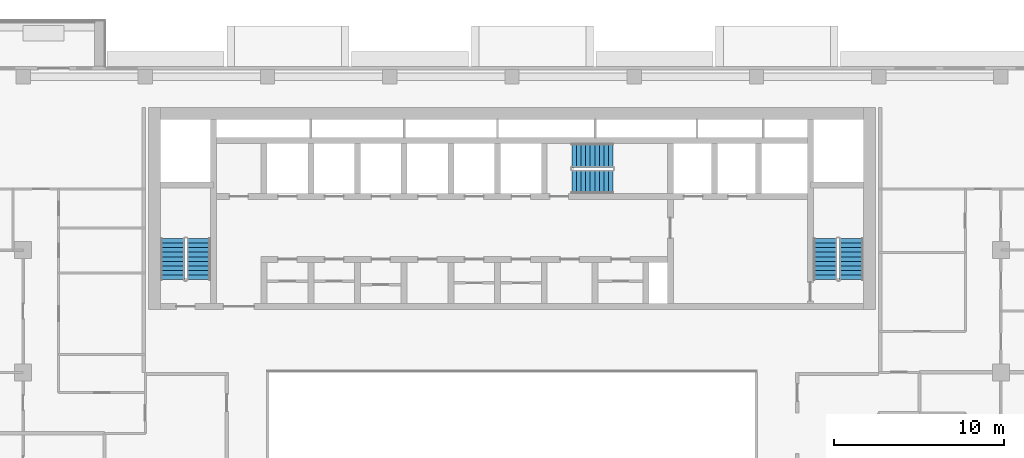
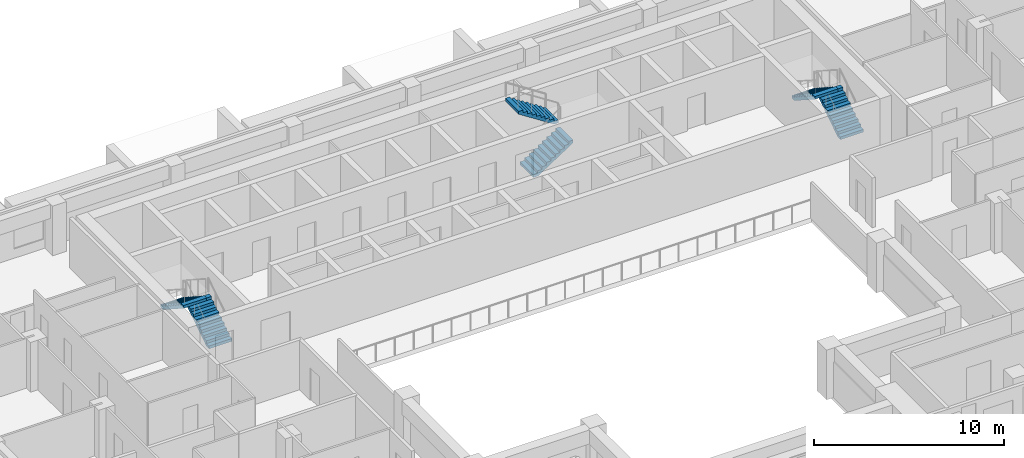
# One storey, part 13 of 20: 6 stair flights, 3 elements without a shape of their own.
"""IFC4 building model written with IfcOpenShell, lengths in metres."""

from ifc_helpers import new_model, si_unit, direction, frame, origin, place, context, subcontext, project, spatial, polyline, outline, extrude, material, layer, layer_set, type_object, element, aggregate, save


model = new_model("IFC4")

# Units and contexts
model_context = context("Model", 3, precision=1e-05, world=origin(), true_north=direction((0.0, 1.0)))
body_context = subcontext(model_context, "Body", "Model", "MODEL_VIEW")
ifc_project = project(units=[si_unit("LENGTHUNIT", "METRE"), si_unit("AREAUNIT", "SQUARE_METRE"), si_unit("VOLUMEUNIT", "CUBIC_METRE"), si_unit("PLANEANGLEUNIT", "RADIAN"), si_unit("MASSUNIT", "GRAM", prefix="KILO")], contexts=[model_context])

# Site, building, storey
site_placement = place(None, origin())
site = spatial("IfcSite", under=ifc_project, at=site_placement, CompositionType="ELEMENT")
building_placement = place(site_placement, origin())
building = spatial("IfcBuilding", under=site, at=building_placement, Name="Saffron Iwan Residences", CompositionType="ELEMENT")
storey_placement = place(building_placement, frame((0.0, 0.0, 153.5)))
storey = spatial("IfcBuildingStorey", under=building, at=storey_placement, Name="L40", CompositionType="ELEMENT", Elevation=153.5)

# Stair, stair flights
ifc_material = material(Name="Concrete C50/60", Category="concrete")
stair_type = type_object("IfcStairType", Name="Stair ST-CORE", PredefinedType="HALF_TURN_STAIR", material=ifc_material)
stair_1_placement = place(storey_placement, origin())
stair_1 = element("IfcStair", 1, at=stair_1_placement, inside=storey, type_object=stair_type, Name="L40 Exit Stair ST-W", PredefinedType="HALF_TURN_STAIR")
ifc_layer = layer(ifc_material, 0.14990234375)
ifc_layer_set = layer_set([ifc_layer], Name="Concrete C50/60")
stair_flight_type = type_object("IfcStairFlightType", Name="Stair flight SFL-RC", PredefinedType="STRAIGHT", material=ifc_layer_set)
stair_flight_1_placement = place(storey_placement, frame((31.949951171875, 67.85009765625, 0.0), z_axis=(0.0, 0.0, 1.0), x_axis=(0.0, 1.0, 0.0)))
stair_flight_1 = element("IfcStairFlight", 2, at=stair_flight_1_placement, type_object=stair_flight_type, Name="ST-W flight 1", NumberOfRisers=10, NumberOfTreads=9, PredefinedType="STRAIGHT", RiserHeight=0.175, TreadLength=0.27, context=body_context, shape_type="SweptSolid", body=[
    extrude(outline(polyline([(0.0, 0.0), (0.0, 0.175048828125), (0.27001953125, 0.175048828125), (0.27001953125, 0.35009765625), (0.5400390625, 0.35009765625), (0.5400390625, 0.52490234375), (0.81005859375, 0.52490234375), (0.81005859375, 0.699951171875), (1.080078125, 0.699951171875), (1.080078125, 0.875), (1.35009765625, 0.875), (1.35009765625, 1.050048828125), (1.6201171875, 1.050048828125), (1.6201171875, 1.22509765625), (1.889892578125, 1.22509765625), (1.889892578125, 1.39990234375), (2.159912109375, 1.39990234375), (2.159912109375, 1.574951171875), (2.429931640625, 1.574951171875), (2.429931640625, 1.75), (2.429931640625, 1.396484375), (0.275634765625, 0.0), (0.0, 0.0)])), frame((0.0, 0.699951171875, 0.0), z_axis=(0.0, -1.0, 0.0), x_axis=(1.0, 0.0, 0.0)), (0.0, 0.0, 1.0), 1.39990234375),
])
stair_flight_2_placement = place(storey_placement, frame((30.39990234375, 70.280029296875, 1.75), z_axis=(0.0, 0.0, 1.0), x_axis=(0.0, -1.0, 0.0)))
stair_flight_2 = element("IfcStairFlight", 3, at=stair_flight_2_placement, type_object=stair_flight_type, Name="ST-W flight 2", NumberOfRisers=10, NumberOfTreads=9, PredefinedType="STRAIGHT", RiserHeight=0.175, TreadLength=0.27, context=body_context, shape_type="SweptSolid", body=[
    extrude(outline(polyline([(0.0, 0.0), (0.0, 0.175048828125), (0.27001953125, 0.175048828125), (0.27001953125, 0.35009765625), (0.5400390625, 0.35009765625), (0.5400390625, 0.52490234375), (0.81005859375, 0.52490234375), (0.81005859375, 0.699951171875), (1.080078125, 0.699951171875), (1.080078125, 0.875), (1.35009765625, 0.875), (1.35009765625, 1.050048828125), (1.6201171875, 1.050048828125), (1.6201171875, 1.22509765625), (1.889892578125, 1.22509765625), (1.889892578125, 1.39990234375), (2.159912109375, 1.39990234375), (2.159912109375, 1.574951171875), (2.429931640625, 1.574951171875), (2.429931640625, 1.75), (2.429931640625, 1.396484375), (0.275634765625, 0.0), (0.0, 0.0)])), frame((0.0, 0.699951171875, 0.0), z_axis=(0.0, -1.0, 0.0), x_axis=(1.0, 0.0, 0.0)), (0.0, 0.0, 1.0), 1.39990234375),
])
aggregate(stair_1, [stair_flight_1, stair_flight_2])

stair_2_placement = place(storey_placement, origin())
stair_2 = element("IfcStair", 4, at=stair_2_placement, inside=storey, type_object=stair_type, Name="L40 Exit Stair ST-C", PredefinedType="HALF_TURN_STAIR")
stair_flight_3_placement = place(storey_placement, frame((53.925048828125, 73.625, 0.0), z_axis=(0.0, 0.0, 1.0), x_axis=(1.0, 0.0, 0.0)))
stair_flight_3 = element("IfcStairFlight", 5, at=stair_flight_3_placement, type_object=stair_flight_type, Name="ST-C flight 1", NumberOfRisers=10, NumberOfTreads=9, PredefinedType="STRAIGHT", RiserHeight=0.175, TreadLength=0.27, context=body_context, shape_type="SweptSolid", body=[
    extrude(outline(polyline([(0.0, 0.0), (0.0, 0.175048828125), (0.27001953125, 0.175048828125), (0.27001953125, 0.35009765625), (0.5400390625, 0.35009765625), (0.5400390625, 0.52490234375), (0.81005859375, 0.52490234375), (0.81005859375, 0.699951171875), (1.080078125, 0.699951171875), (1.080078125, 0.875), (1.35009765625, 0.875), (1.35009765625, 1.050048828125), (1.6201171875, 1.050048828125), (1.6201171875, 1.22509765625), (1.889892578125, 1.22509765625), (1.889892578125, 1.39990234375), (2.159912109375, 1.39990234375), (2.159912109375, 1.574951171875), (2.429931640625, 1.574951171875), (2.429931640625, 1.75), (2.429931640625, 1.396484375), (0.275634765625, 0.0), (0.0, 0.0)])), frame((0.0, 0.699951171875, 0.0), z_axis=(0.0, -1.0, 0.0), x_axis=(1.0, 0.0, 0.0)), (0.0, 0.0, 1.0), 1.39990234375),
])
stair_flight_4_placement = place(storey_placement, frame((56.35498046875, 75.175048828125, 1.75), z_axis=(0.0, 0.0, 1.0), x_axis=(-1.0, 0.0, 0.0)))
stair_flight_4 = element("IfcStairFlight", 6, at=stair_flight_4_placement, type_object=stair_flight_type, Name="ST-C flight 2", NumberOfRisers=10, NumberOfTreads=9, PredefinedType="STRAIGHT", RiserHeight=0.175, TreadLength=0.27, context=body_context, shape_type="SweptSolid", body=[
    extrude(outline(polyline([(0.0, 0.0), (0.0, 0.175048828125), (0.27001953125, 0.175048828125), (0.27001953125, 0.35009765625), (0.5400390625, 0.35009765625), (0.5400390625, 0.52490234375), (0.81005859375, 0.52490234375), (0.81005859375, 0.699951171875), (1.080078125, 0.699951171875), (1.080078125, 0.875), (1.35009765625, 0.875), (1.35009765625, 1.050048828125), (1.6201171875, 1.050048828125), (1.6201171875, 1.22509765625), (1.889892578125, 1.22509765625), (1.889892578125, 1.39990234375), (2.159912109375, 1.39990234375), (2.159912109375, 1.574951171875), (2.429931640625, 1.574951171875), (2.429931640625, 1.75), (2.429931640625, 1.396484375), (0.275634765625, 0.0), (0.0, 0.0)])), frame((0.0, 0.699951171875, 0.0), z_axis=(0.0, -1.0, 0.0), x_axis=(1.0, 0.0, 0.0)), (0.0, 0.0, 1.0), 1.39990234375),
])
aggregate(stair_2, [stair_flight_3, stair_flight_4])

stair_3_placement = place(storey_placement, origin())
stair_3 = element("IfcStair", 7, at=stair_3_placement, inside=storey, type_object=stair_type, Name="L40 Exit Stair ST-E", PredefinedType="HALF_TURN_STAIR")
stair_flight_5_placement = place(storey_placement, frame((70.39990234375, 67.85009765625, 0.0), z_axis=(0.0, 0.0, 1.0), x_axis=(0.0, 1.0, 0.0)))
stair_flight_5 = element("IfcStairFlight", 8, at=stair_flight_5_placement, type_object=stair_flight_type, Name="ST-E flight 1", NumberOfRisers=10, NumberOfTreads=9, PredefinedType="STRAIGHT", RiserHeight=0.175, TreadLength=0.27, context=body_context, shape_type="SweptSolid", body=[
    extrude(outline(polyline([(0.0, 0.0), (0.0, 0.175048828125), (0.27001953125, 0.175048828125), (0.27001953125, 0.35009765625), (0.5400390625, 0.35009765625), (0.5400390625, 0.52490234375), (0.81005859375, 0.52490234375), (0.81005859375, 0.699951171875), (1.080078125, 0.699951171875), (1.080078125, 0.875), (1.35009765625, 0.875), (1.35009765625, 1.050048828125), (1.6201171875, 1.050048828125), (1.6201171875, 1.22509765625), (1.889892578125, 1.22509765625), (1.889892578125, 1.39990234375), (2.159912109375, 1.39990234375), (2.159912109375, 1.574951171875), (2.429931640625, 1.574951171875), (2.429931640625, 1.75), (2.429931640625, 1.396484375), (0.275634765625, 0.0), (0.0, 0.0)])), frame((0.0, 0.699951171875, 0.0), z_axis=(0.0, -1.0, 0.0), x_axis=(1.0, 0.0, 0.0)), (0.0, 0.0, 1.0), 1.39990234375),
])
stair_flight_6_placement = place(storey_placement, frame((68.85009765625, 70.280029296875, 1.75), z_axis=(0.0, 0.0, 1.0), x_axis=(0.0, -1.0, 0.0)))
stair_flight_6 = element("IfcStairFlight", 9, at=stair_flight_6_placement, type_object=stair_flight_type, Name="ST-E flight 2", NumberOfRisers=10, NumberOfTreads=9, PredefinedType="STRAIGHT", RiserHeight=0.175, TreadLength=0.27, context=body_context, shape_type="SweptSolid", body=[
    extrude(outline(polyline([(0.0, 0.0), (0.0, 0.175048828125), (0.27001953125, 0.175048828125), (0.27001953125, 0.35009765625), (0.5400390625, 0.35009765625), (0.5400390625, 0.52490234375), (0.81005859375, 0.52490234375), (0.81005859375, 0.699951171875), (1.080078125, 0.699951171875), (1.080078125, 0.875), (1.35009765625, 0.875), (1.35009765625, 1.050048828125), (1.6201171875, 1.050048828125), (1.6201171875, 1.22509765625), (1.889892578125, 1.22509765625), (1.889892578125, 1.39990234375), (2.159912109375, 1.39990234375), (2.159912109375, 1.574951171875), (2.429931640625, 1.574951171875), (2.429931640625, 1.75), (2.429931640625, 1.396484375), (0.275634765625, 0.0), (0.0, 0.0)])), frame((0.0, 0.699951171875, 0.0), z_axis=(0.0, -1.0, 0.0), x_axis=(1.0, 0.0, 0.0)), (0.0, 0.0, 1.0), 1.39990234375),
])
aggregate(stair_3, [stair_flight_5, stair_flight_6])

save(model, "model.ifc")
